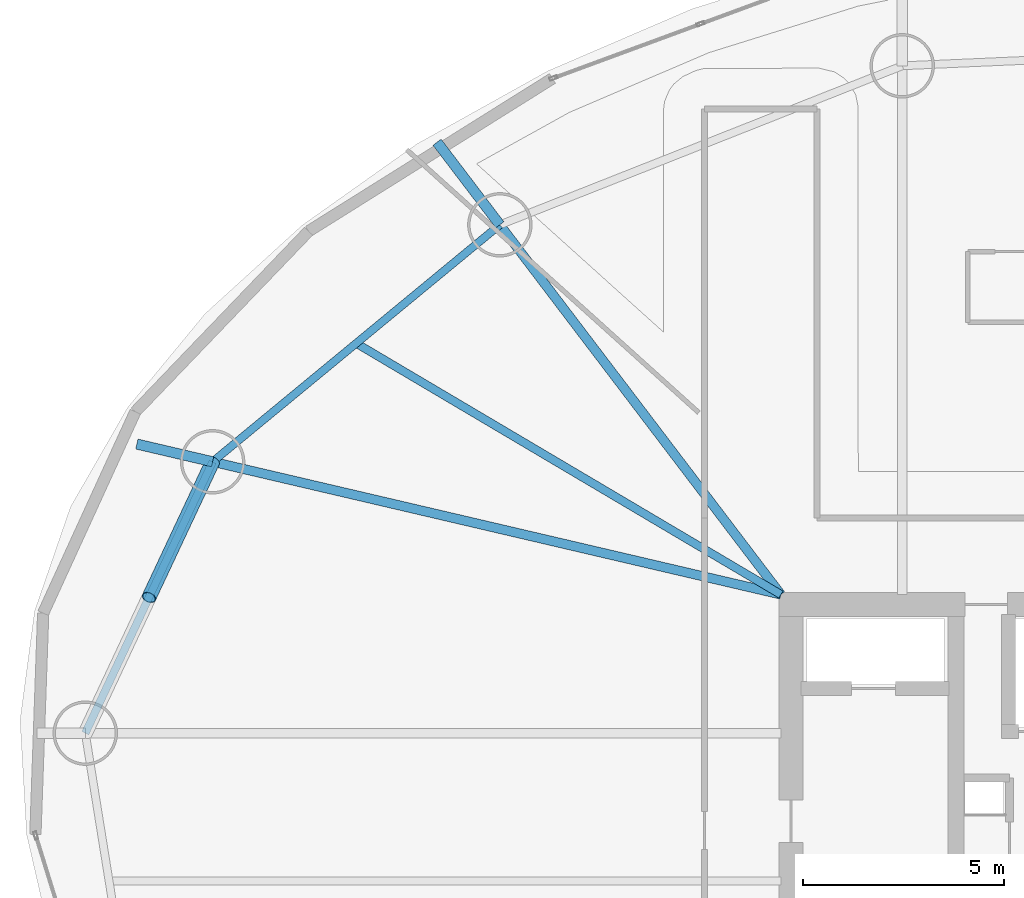
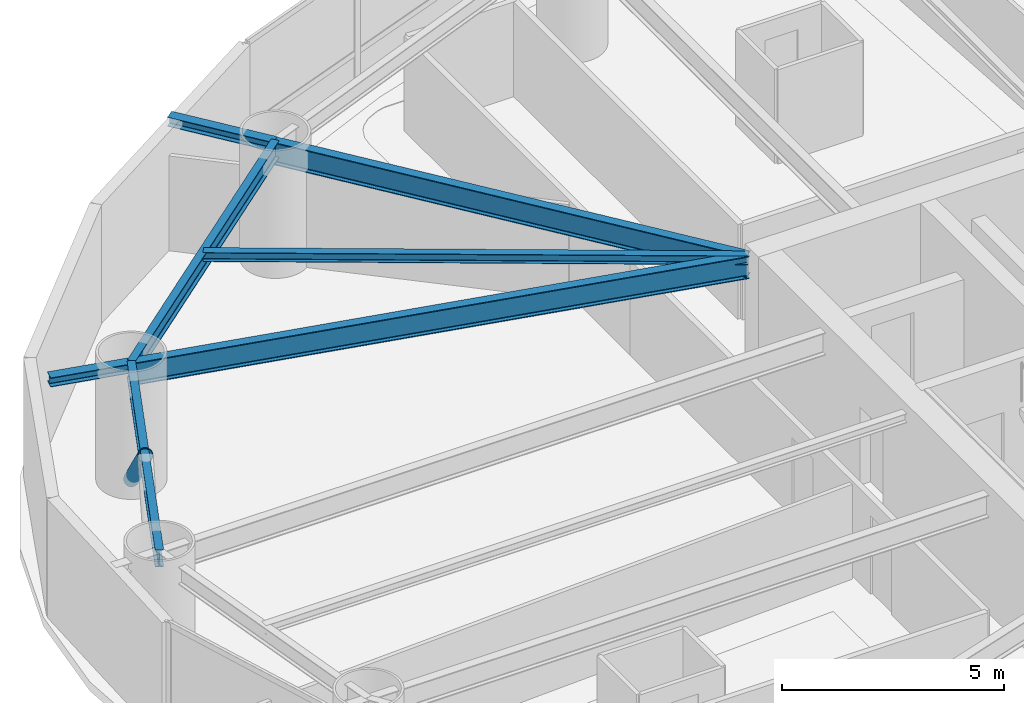
# One storey, part 16 of 30: 7 beams, 1 member.
"""IFC4 building model written with IfcOpenShell, lengths in metres."""

from ifc_helpers import new_model, si_unit, direction, frame, origin, origin_2d, place, context, subcontext, project, spatial, hollow_circle, i_section, extrude, material, material_profile, profile_set, type_object, element, save


model = new_model("IFC4")

# Units and contexts
model_context = context("Model", 3, precision=1e-05, world=origin(), true_north=direction((0.0, 1.0)))
body_context = subcontext(model_context, "Body", "Model", "MODEL_VIEW")
ifc_project = project(units=[si_unit("LENGTHUNIT", "METRE"), si_unit("AREAUNIT", "SQUARE_METRE"), si_unit("VOLUMEUNIT", "CUBIC_METRE"), si_unit("PLANEANGLEUNIT", "RADIAN"), si_unit("MASSUNIT", "GRAM", prefix="KILO")], contexts=[model_context])

# Site, building, storey
site_placement = place(None, origin())
site = spatial("IfcSite", under=ifc_project, at=site_placement, CompositionType="ELEMENT")
building_placement = place(site_placement, origin())
building = spatial("IfcBuilding", under=site, at=building_placement, Name="Bramvorn Convention Spire", CompositionType="ELEMENT")
storey_placement = place(building_placement, frame((0.0, 0.0, 86.89990234375)))
storey = spatial("IfcBuildingStorey", under=building, at=storey_placement, Name="L20", CompositionType="ELEMENT", Elevation=86.89990234375)

# Beams
ifc_material = material(Name="Steel CSA G40.21 Grade 350 (350W)", Category="steel")
ifc_material_profile_1 = material_profile(ifc_material, i_section(OverallWidth=0.201904296875, OverallDepth=0.2470703125, WebThickness=0.00732421875, FlangeThickness=0.010986328125, FilletRadius=0.011962890625, at=origin_2d()))
ifc_profile_set_1 = profile_set([ifc_material_profile_1], Name="Steel CSA G40.21 Grade 350 (350W) - W250X49")
beam_type_1 = type_object("IfcBeamType", Name="BM-W250X49", PredefinedType="JOIST", material=ifc_profile_set_1)
beam_1_placement = place(storey_placement, frame((26.75, 33.449951171875, 3.126708984375), z_axis=(-0.860664556648, 0.509172388223, 0.0), x_axis=(-0.509172388223, -0.860664556648, 0.0)))
element("IfcBeam", 1, at=beam_1_placement, inside=storey, type_object=beam_type_1, Name="L20 composite floor joist 07", PredefinedType="JOIST", context=body_context, shape_type="SweptSolid", body=[
    extrude(i_section(OverallWidth=0.201904296875, OverallDepth=0.2470703125, WebThickness=0.00732421875, FlangeThickness=0.010986328125, FilletRadius=0.011962890625, at=origin_2d()), origin(), (0.0, 0.0, 1.0), 12.25048828125),
])
ifc_material_profile_2 = material_profile(ifc_material, i_section(OverallWidth=0.25390625, OverallDepth=0.2529296875, WebThickness=0.008544921875, FlangeThickness=0.01416015625, FilletRadius=0.011962890625, at=origin_2d()))
ifc_profile_set_2 = profile_set([ifc_material_profile_2], Name="Steel CSA G40.21 Grade 350 (350W) - W250X73")
beam_type_2 = type_object("IfcBeamType", Name="BM-W250X73", PredefinedType="BEAM", material=ifc_profile_set_2)
beam_2_placement = place(storey_placement, frame((19.772216796875, 42.628662109375, 3.12353515625), z_axis=(-0.605174597978, 0.796092774721, 0.0), x_axis=(-0.796092774721, -0.605174597978, 0.0)))
element("IfcBeam", 2, at=beam_2_placement, inside=storey, type_object=beam_type_2, Name="L20 slab-edge cantilever tip beam MC07", PredefinedType="BEAM", context=body_context, shape_type="SweptSolid", body=[
    extrude(i_section(OverallWidth=0.25390625, OverallDepth=0.2529296875, WebThickness=0.008544921875, FlangeThickness=0.01416015625, FilletRadius=0.011962890625, at=origin_2d()), origin(), (0.0, 0.0, 1.0), 2.575439453125),
])
beam_3_placement = place(storey_placement, frame((12.64111328125, 36.746337890625, 3.12353515625), z_axis=(-0.973774038855, 0.227517298798, 0.0), x_axis=(-0.227517298798, -0.973774038855, 0.0)))
element("IfcBeam", 3, at=beam_3_placement, inside=storey, type_object=beam_type_2, Name="L20 slab-edge cantilever tip beam MC08", PredefinedType="BEAM", context=body_context, shape_type="SweptSolid", body=[
    extrude(i_section(OverallWidth=0.25390625, OverallDepth=0.2529296875, WebThickness=0.008544921875, FlangeThickness=0.01416015625, FilletRadius=0.011962890625, at=origin_2d()), origin(), (0.0, 0.0, 1.0), 1.931396484375),
])
ifc_material_profile_3 = material_profile(ifc_material, i_section(OverallWidth=0.194091796875, OverallDepth=0.468994140625, WebThickness=0.0126953125, FlangeThickness=0.0205078125, FilletRadius=0.01806640625, at=origin_2d()))
ifc_profile_set_3 = profile_set([ifc_material_profile_3], Name="Steel CSA G40.21 Grade 350 (350W) - W460X106")
beam_type_3 = type_object("IfcBeamType", Name="BM-W460X106", PredefinedType="SPANDREL", material=ifc_profile_set_3)
beam_4_placement = place(storey_placement, frame((19.772216796875, 42.628662109375, 3.015625), z_axis=(-0.771417680101, -0.636329130896, 0.0), x_axis=(0.636329130896, -0.771417680101, 0.0)))
element("IfcBeam", 4, at=beam_4_placement, inside=storey, type_object=beam_type_3, Name="L20 mega-column ring beam 07", PredefinedType="SPANDREL", context=body_context, shape_type="SweptSolid", body=[
    extrude(i_section(OverallWidth=0.194091796875, OverallDepth=0.468994140625, WebThickness=0.0126953125, FlangeThickness=0.0205078125, FilletRadius=0.01806640625, at=origin_2d()), origin(), (0.0, 0.0, 1.0), 9.244140625),
])
beam_5_placement = place(storey_placement, frame((12.64111328125, 36.746337890625, 3.015625), z_axis=(-0.424701955478, -0.9053332254, 0.0), x_axis=(0.9053332254, -0.424701955478, 0.0)))
element("IfcBeam", 5, at=beam_5_placement, inside=storey, type_object=beam_type_3, Name="L20 mega-column ring beam 08", PredefinedType="SPANDREL", context=body_context, shape_type="SweptSolid", body=[
    extrude(i_section(OverallWidth=0.194091796875, OverallDepth=0.468994140625, WebThickness=0.0126953125, FlangeThickness=0.0205078125, FilletRadius=0.01806640625, at=origin_2d()), origin(), (0.0, 0.0, 1.0), 7.442626953125),
])
ifc_material_profile_4 = material_profile(ifc_material, i_section(OverallWidth=0.22998046875, OverallDepth=0.616943359375, WebThickness=0.01318359375, FlangeThickness=0.022216796875, FilletRadius=0.02001953125, at=origin_2d()))
ifc_profile_set_4 = profile_set([ifc_material_profile_4], Name="Steel CSA G40.21 Grade 350 (350W) - W610X140")
beam_type_4 = type_object("IfcBeamType", Name="BM-W610X140", PredefinedType="BEAM", material=ifc_profile_set_4)
beam_6_placement = place(storey_placement, frame((26.75, 33.449951171875, 2.941650390625), z_axis=(-0.605191175112, 0.796080172826, 0.0), x_axis=(-0.796080172826, -0.605191175112, 0.0)))
element("IfcBeam", 6, at=beam_6_placement, inside=storey, type_object=beam_type_4, Name="L20 radial floor girder MC07", PredefinedType="BEAM", context=body_context, shape_type="SweptSolid", body=[
    extrude(i_section(OverallWidth=0.22998046875, OverallDepth=0.616943359375, WebThickness=0.01318359375, FlangeThickness=0.022216796875, FilletRadius=0.02001953125, at=origin_2d()), origin(), (0.0, 0.0, 1.0), 11.52978515625),
])
beam_7_placement = place(storey_placement, frame((26.75, 33.449951171875, 2.941650390625), z_axis=(-0.973775294862, 0.227511923018, 0.0), x_axis=(-0.227511923018, -0.973775294862, 0.0)))
element("IfcBeam", 7, at=beam_7_placement, inside=storey, type_object=beam_type_4, Name="L20 radial floor girder MC08", PredefinedType="BEAM", context=body_context, shape_type="SweptSolid", body=[
    extrude(i_section(OverallWidth=0.22998046875, OverallDepth=0.616943359375, WebThickness=0.01318359375, FlangeThickness=0.022216796875, FilletRadius=0.02001953125, at=origin_2d()), origin(), (0.0, 0.0, 1.0), 14.48876953125),
])

# Member
ifc_material_profile_5 = material_profile(ifc_material, hollow_circle(Radius=0.177734375, WallThickness=0.015869140625, at=origin_2d()))
ifc_profile_set_5 = profile_set([ifc_material_profile_5], Name="Steel CSA G40.21 Grade 350 (350W) - CHS356X16")
member_type = type_object("IfcMemberType", Name="MBR-CHS356X16", PredefinedType="BRACE", material=ifc_profile_set_5)
member_placement = place(storey_placement, frame((12.64111328125, 36.746337890625, 0.0), z_axis=(-0.319854623913, -0.681908513826, 0.65779464754), x_axis=(0.905351753695, -0.424662456643, 0.0)))
element("IfcMember", 8, at=member_placement, inside=storey, type_object=member_type, Name="L20 perimeter Gothic lancet brace 8A", PredefinedType="BRACE", context=body_context, shape_type="SweptSolid", body=[
    extrude(hollow_circle(Radius=0.177734375, WallThickness=0.015869140625, at=origin_2d()), origin(), (0.0, 0.0, 1.0), 4.940673828125),
])

save(model, "model.ifc")
